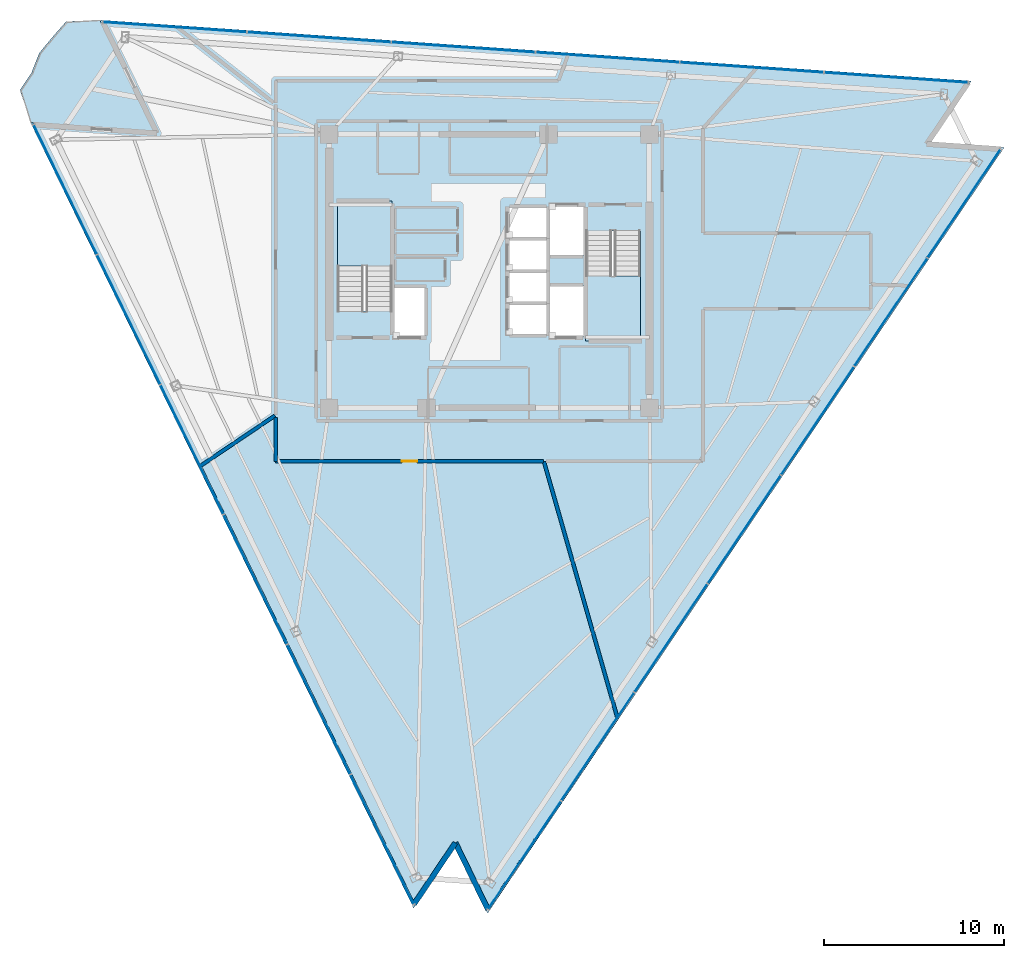
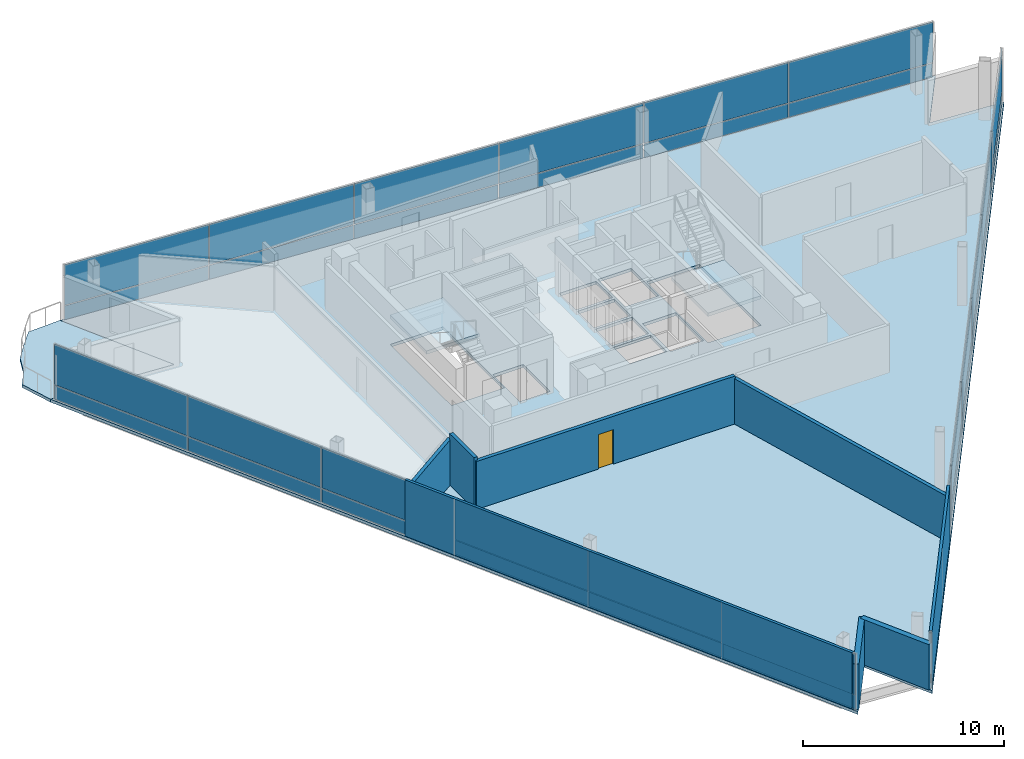
# One storey, part 8 of 14: 38 plates, 8 walls, 4 slabs, 1 door, 1 opening, 5 elements without a shape of their own.
"""IFC4 building model written with IfcOpenShell, lengths in metres."""

import ifcopenshell
import ifcopenshell.guid

model = None  # the IFC model being written
_history = None  # IfcOwnerHistory: only IFC2X3 demands one
_inside = {}  # id of a spatial element -> (the spatial element, [elements in it])
_under = {}  # id of a project, library or spatial element -> (it, [spatial elements below it])
_declared = {}  # id of a project -> (the project, [libraries it declares])
_typed = {}  # id of a type object -> (the type object, [elements of that type])
_made_of = {}  # id of a material, layer set ... -> (it, [elements and type objects made of it])


def new_model(schema):
    """Start an empty IFC model of exactly this schema.

    Asked for "IFC4X3", IfcOpenShell would pick the latest addendum, in which some entities
    have other attributes; the version numbers below select the first issue.
    IFC2X3 requires an IfcOwnerHistory on every rooted entity: one is made here for all.
    """
    global model, _history
    if schema == "IFC4X3":
        model = ifcopenshell.file(schema_version=(4, 3, 0, 0))
    else:
        model = ifcopenshell.file(schema=schema)
    _inside.clear()
    _under.clear()
    _declared.clear()
    _typed.clear()
    _made_of.clear()
    _history = None
    if model.schema == "IFC2X3":
        org = make("IfcOrganization", Name="unknown")
        user = make(
            "IfcPersonAndOrganization",
            ThePerson=make("IfcPerson", FamilyName="unknown"),
            TheOrganization=org,
        )
        app = make(
            "IfcApplication",
            ApplicationDeveloper=org,
            Version="unknown",
            ApplicationFullName="unknown",
            ApplicationIdentifier="unknown",
        )
        _history = make(
            "IfcOwnerHistory",
            OwningUser=user,
            OwningApplication=app,
            ChangeAction="ADDED",
            CreationDate=0,
        )
    return model


def make(cls, **values):
    """One entity of the class cls with the attributes given. An attribute that is None is left unset."""
    return model.create_entity(
        cls, **{name: value for name, value in values.items() if value is not None}
    )


def rooted(cls, **values):
    """An entity with a GlobalId (a new one), such as an element, a storey or a relation."""
    return make(cls, GlobalId=ifcopenshell.guid.new(), OwnerHistory=_history, **values)


def si_unit(unit_type, name, prefix=None):
    """IfcSIUnit, for example si_unit("LENGTHUNIT", "METRE", prefix="MILLI")."""
    return make("IfcSIUnit", UnitType=unit_type, Prefix=prefix, Name=name)


def assignment(units):
    """IfcUnitAssignment: the units of a project."""
    return None if units is None else make("IfcUnitAssignment", Units=units)


def point(xyz):
    """IfcCartesianPoint."""
    return None if xyz is None else make("IfcCartesianPoint", Coordinates=xyz)


def direction(xyz):
    """IfcDirection."""
    return None if xyz is None else make("IfcDirection", DirectionRatios=xyz)


def frame(location, z_axis=None, x_axis=None):
    """IfcAxis2Placement3D, a coordinate frame: its origin and axes. An axis left out is left unset."""
    return make(
        "IfcAxis2Placement3D",
        Location=point(location),
        Axis=direction(z_axis),
        RefDirection=direction(x_axis),
    )


def frame_2d(location, x_axis=None):
    """IfcAxis2Placement2D, a coordinate frame in the plane: its origin and x axis."""
    return make(
        "IfcAxis2Placement2D", Location=point(location), RefDirection=direction(x_axis)
    )


def origin():
    """The frame at (0, 0, 0) with its axes left unset."""
    return frame((0.0, 0.0, 0.0))


def origin_2d():
    """The frame at (0, 0) in the plane with its x axis left unset."""
    return frame_2d((0.0, 0.0))


def place(relative_to, where):
    """IfcLocalPlacement: puts the frame where relative to a parent placement (None: the world)."""
    return make(
        "IfcLocalPlacement", PlacementRelTo=relative_to, RelativePlacement=where
    )


def context(
    kind, dimensions, precision=None, world=None, true_north=None, identifier=None
):
    """IfcGeometricRepresentationContext, for example the 3D "Model" context."""
    return make(
        "IfcGeometricRepresentationContext",
        ContextIdentifier=identifier,
        ContextType=kind,
        CoordinateSpaceDimension=dimensions,
        Precision=precision,
        WorldCoordinateSystem=world,
        TrueNorth=true_north,
    )


def subcontext(parent, identifier, kind, view, scale=None):
    """IfcGeometricRepresentationSubContext, for example "Body" below "Model"."""
    return make(
        "IfcGeometricRepresentationSubContext",
        ContextIdentifier=identifier,
        ContextType=kind,
        ParentContext=parent,
        TargetScale=scale,
        TargetView=view,
    )


def project(units=None, contexts=None):
    """IfcProject with its units and contexts."""
    return rooted(
        "IfcProject",
        Name="project",
        RepresentationContexts=contexts,
        UnitsInContext=assignment(units),
    )


def spatial(cls, under=None, at=None, **own):
    """A site, building, storey or space (cls), placed at a placement, below another one or the project."""
    s = rooted(cls, ObjectPlacement=at, **own)
    if under is not None:
        _under.setdefault(under.id(), (under, []))[1].append(s)
    return s


def polyline(points):
    """IfcPolyline through the points."""
    return make("IfcPolyline", Points=[point(p) for p in points])


def profile(cls, at=None, kind="AREA", **sizes):
    """A parametric profile (cls). Its sizes go by their IFC names, for example OverallWidth=200.0."""
    return make(cls, ProfileType=kind, Position=at, **sizes)


def rectangle(**sizes):
    """IfcRectangleProfileDef."""
    return profile("IfcRectangleProfileDef", **sizes)


def outline(outer, holes=None, kind="AREA"):
    """IfcArbitraryClosedProfileDef: a profile drawn as a closed curve; with holes, ...WithVoids."""
    if holes is None:
        return make("IfcArbitraryClosedProfileDef", ProfileType=kind, OuterCurve=outer)
    return make(
        "IfcArbitraryProfileDefWithVoids",
        ProfileType=kind,
        OuterCurve=outer,
        InnerCurves=holes,
    )


def extrude(swept, where, along, depth):
    """IfcExtrudedAreaSolid: the profile swept, set in the frame where, extruded along a direction by depth."""
    return make(
        "IfcExtrudedAreaSolid",
        SweptArea=swept,
        Position=where,
        ExtrudedDirection=direction(along),
        Depth=depth,
    )


def shape(context_of_items, identifier, shape_type, items):
    """IfcShapeRepresentation: the items that make up one representation, for example the "Body"."""
    return make(
        "IfcShapeRepresentation",
        ContextOfItems=context_of_items,
        RepresentationIdentifier=identifier,
        RepresentationType=shape_type,
        Items=items,
    )


def material(Name=None, Category=None):
    """IfcMaterial."""
    return make("IfcMaterial", Name=Name, Category=Category)


def layer(
    of_material, thickness, ventilated=None, Name=None, Category=None, Priority=None
):
    """IfcMaterialLayer: one layer of a wall or slab, of a material (None: an air gap)."""
    return make(
        "IfcMaterialLayer",
        Material=of_material,
        LayerThickness=thickness,
        IsVentilated=ventilated,
        Name=Name,
        Category=Category,
        Priority=Priority,
    )


def layer_set(layers, Name=None):
    """IfcMaterialLayerSet."""
    return make("IfcMaterialLayerSet", MaterialLayers=layers, LayerSetName=Name)


def made_of(thing, what):
    """Note that an element or type object is made of a material, layer set ...; save() writes the relation."""
    if what is not None:
        _made_of.setdefault(what.id(), (what, []))[1].append(thing)
    return thing


def type_object(cls, material=None, **own):
    """A type object (cls), such as IfcWallType, which elements share."""
    return made_of(rooted(cls, **own), material)


def element(
    cls,
    number,
    at=None,
    inside=None,
    cuts=None,
    type_object=None,
    material=None,
    context=None,
    identifier="Body",
    shape_type=None,
    held_by="IfcProductDefinitionShape",
    body=None,
    shapes=None,
    **own,
):
    """One element of the class cls, such as IfcWall. Its Tag is "e" and its number.

    at: its placement. inside: the storey or other place that contains it. cuts: it is an
    opening in that element (IfcRelVoidsElement). A single representation is given by context,
    identifier, shape_type and body (its items); several are given by shapes. held_by: the class
    of the entity that holds the representations. save() writes the other relations.
    """
    e = rooted(cls, Tag="e%d" % number, ObjectPlacement=at, **own)
    if body is not None:
        shapes = [shape(context, identifier, shape_type, body)]
    if shapes is not None:
        e.Representation = make(held_by, Representations=shapes)
    if inside is not None:
        _inside.setdefault(inside.id(), (inside, []))[1].append(e)
    if cuts is not None:
        rooted(
            "IfcRelVoidsElement", RelatingBuildingElement=cuts, RelatedOpeningElement=e
        )
    if type_object is not None:
        _typed.setdefault(type_object.id(), (type_object, []))[1].append(e)
    return made_of(e, material)


def fill(opening, filler):
    """IfcRelFillsElement: the door or window that sits in an opening."""
    return rooted(
        "IfcRelFillsElement",
        RelatingOpeningElement=opening,
        RelatedBuildingElement=filler,
    )


def aggregate(whole, parts):
    """IfcRelAggregates: a whole, such as a stair, and the parts it consists of."""
    return rooted("IfcRelAggregates", RelatingObject=whole, RelatedObjects=parts)


def save(model, path):
    """Write the relations noted so far, then the file.

    IfcRelAggregates (storeys below a building ...), IfcRelContainedInSpatialStructure (elements
    in a storey), IfcRelDefinesByType, IfcRelAssociatesMaterial and IfcRelDeclares: one each for
    every whole, place, type object, material and project.
    """
    for whole, parts in _under.values():
        aggregate(whole, parts)
    for where, things in _inside.values():
        rooted(
            "IfcRelContainedInSpatialStructure",
            RelatedElements=things,
            RelatingStructure=where,
        )
    for kind, things in _typed.values():
        rooted("IfcRelDefinesByType", RelatedObjects=things, RelatingType=kind)
    for what, things in _made_of.values():
        rooted("IfcRelAssociatesMaterial", RelatedObjects=things, RelatingMaterial=what)
    for by, libraries in _declared.values():
        rooted("IfcRelDeclares", RelatingContext=by, RelatedDefinitions=libraries)
    model.write(path)


model = new_model("IFC4")

# Units and contexts
model_context = context("Model", 3, precision=1e-05, world=origin(), true_north=direction((0.0, 1.0)))
body_context = subcontext(model_context, "Body", "Model", "MODEL_VIEW")
ifc_project = project(units=[si_unit("LENGTHUNIT", "METRE"), si_unit("AREAUNIT", "SQUARE_METRE"), si_unit("VOLUMEUNIT", "CUBIC_METRE"), si_unit("PLANEANGLEUNIT", "RADIAN"), si_unit("MASSUNIT", "GRAM", prefix="KILO")], contexts=[model_context])

# Site, building, storey
site_placement = place(None, origin())
site = spatial("IfcSite", under=ifc_project, at=site_placement, CompositionType="ELEMENT")
building_placement = place(site_placement, origin())
building = spatial("IfcBuilding", under=site, at=building_placement, Name="Tharavind Bronze Gate", CompositionType="ELEMENT")
storey_placement = place(building_placement, frame((0.0, 0.0, 230.64990234375)))
storey = spatial("IfcBuildingStorey", under=building, at=storey_placement, Name="L59", CompositionType="ELEMENT", Elevation=230.64990234375)

# Curtain wall, plates
ifc_material_1 = material(Name="Anodised Bronze Aluminium", Category="aluminium")
ifc_layer_1 = layer(ifc_material_1, 0.219970703125)
ifc_layer_set_1 = layer_set([ifc_layer_1], Name="Anodised Bronze Aluminium")
curtain_wall_type = type_object("IfcCurtainWallType", Name="UNITISED CURTAIN WALL UPPER OFFICE", PredefinedType="USERDEFINED", material=ifc_layer_set_1)
curtain_wall_1_placement = place(storey_placement, origin())
curtain_wall_1 = element("IfcCurtainWall", 1, at=curtain_wall_1_placement, inside=storey, type_object=curtain_wall_type, Name="L59 unitised curtain wall upper office CW-L59-S1", ObjectType="UNITISED CURTAIN WALL", PredefinedType="USERDEFINED")
ifc_material_2 = material(Name="Patinated Bronze Alloy Sheet", Category="bronze")
ifc_layer_2 = layer(ifc_material_2, 0.01611328125)
ifc_layer_set_2 = layer_set([ifc_layer_2], Name="Patinated Bronze Alloy Sheet")
plate_type_1 = type_object("IfcPlateType", Name="BRONZE SPANDREL CLADDING PANEL 16", PredefinedType="CURTAIN_PANEL", material=ifc_layer_set_2)
plate_1_placement = place(storey_placement, frame((-23.5751953125, 4.5283203125, 0.02685546875), z_axis=(0.0, 0.0, 1.0), x_axis=(0.438371146789, -0.898794046299, 0.0)))
plate_1 = element("IfcPlate", 2, at=plate_1_placement, type_object=plate_type_1, Name="CW-L59-S1 bronze spandrel panel 1", PredefinedType="CURTAIN_PANEL", context=body_context, shape_type="SweptSolid", body=[
    extrude(rectangle(XDim=7.985107421875, YDim=0.01611328125, at=origin_2d()), origin(), (0.0, 0.0, 1.0), 0.846923828125),
])
plate_2_placement = place(storey_placement, frame((-20.051513671875, -2.696044921875, 0.02685546875), z_axis=(0.0, 0.0, 1.0), x_axis=(0.438371146789, -0.898794046299, 0.0)))
plate_2 = element("IfcPlate", 3, at=plate_2_placement, type_object=plate_type_1, Name="CW-L59-S1 bronze spandrel panel 2", PredefinedType="CURTAIN_PANEL", context=body_context, shape_type="SweptSolid", body=[
    extrude(rectangle(XDim=7.985107421875, YDim=0.01611328125, at=origin_2d()), origin(), (0.0, 0.0, 1.0), 0.846923828125),
])
plate_3_placement = place(storey_placement, frame((-16.528076171875, -9.920654296875, 0.02685546875), z_axis=(0.0, 0.0, 1.0), x_axis=(0.438371146789, -0.898794046299, 0.0)))
plate_3 = element("IfcPlate", 4, at=plate_3_placement, type_object=plate_type_1, Name="CW-L59-S1 bronze spandrel panel 3", PredefinedType="CURTAIN_PANEL", context=body_context, shape_type="SweptSolid", body=[
    extrude(rectangle(XDim=7.985107421875, YDim=0.01611328125, at=origin_2d()), origin(), (0.0, 0.0, 1.0), 0.846923828125),
])
plate_4_placement = place(storey_placement, frame((-13.00439453125, -17.145263671875, 0.02685546875), z_axis=(0.0, 0.0, 1.0), x_axis=(0.438371146789, -0.898794046299, 0.0)))
plate_4 = element("IfcPlate", 5, at=plate_4_placement, type_object=plate_type_1, Name="CW-L59-S1 bronze spandrel panel 4", PredefinedType="CURTAIN_PANEL", context=body_context, shape_type="SweptSolid", body=[
    extrude(rectangle(XDim=7.985107421875, YDim=0.01611328125, at=origin_2d()), origin(), (0.0, 0.0, 1.0), 0.846923828125),
])
plate_5_placement = place(storey_placement, frame((-9.480712890625, -24.36962890625, 0.02685546875), z_axis=(0.0, 0.0, 1.0), x_axis=(0.438371146789, -0.898794046299, 0.0)))
plate_5 = element("IfcPlate", 6, at=plate_5_placement, type_object=plate_type_1, Name="CW-L59-S1 bronze spandrel panel 5", PredefinedType="CURTAIN_PANEL", context=body_context, shape_type="SweptSolid", body=[
    extrude(rectangle(XDim=7.985107421875, YDim=0.01611328125, at=origin_2d()), origin(), (0.0, 0.0, 1.0), 0.846923828125),
])
plate_6_placement = place(storey_placement, frame((-5.95703125, -31.59423828125, 0.02685546875), z_axis=(0.0, 0.0, 1.0), x_axis=(0.438371146789, -0.898794046299, 0.0)))
plate_6 = element("IfcPlate", 7, at=plate_6_placement, type_object=plate_type_1, Name="CW-L59-S1 bronze spandrel panel 6", PredefinedType="CURTAIN_PANEL", context=body_context, shape_type="SweptSolid", body=[
    extrude(rectangle(XDim=7.985107421875, YDim=0.01611328125, at=origin_2d()), origin(), (0.0, 0.0, 1.0), 0.846923828125),
])

curtain_wall_2_placement = place(storey_placement, origin())
curtain_wall_2 = element("IfcCurtainWall", 8, at=curtain_wall_2_placement, inside=storey, type_object=curtain_wall_type, Name="L59 unitised curtain wall upper office CW-L59-S2", ObjectType="UNITISED CURTAIN WALL", PredefinedType="USERDEFINED")
plate_7_placement = place(storey_placement, frame((1.958984375, -32.4755859375, 0.02685546875), z_axis=(0.0, 0.0, 1.0), x_axis=(0.559192903471, 0.829037572555, 0.0)))
plate_7 = element("IfcPlate", 9, at=plate_7_placement, type_object=plate_type_1, Name="CW-L59-S2 bronze spandrel panel 1", PredefinedType="CURTAIN_PANEL", context=body_context, shape_type="SweptSolid", body=[
    extrude(rectangle(XDim=7.22998046875, YDim=0.01611328125, at=origin_2d()), origin(), (0.0, 0.0, 1.0), 0.846923828125),
])
plate_8_placement = place(storey_placement, frame((6.031494140625, -26.437744140625, 0.02685546875), z_axis=(0.0, 0.0, 1.0), x_axis=(0.559192903471, 0.829037572555, 0.0)))
plate_8 = element("IfcPlate", 10, at=plate_8_placement, type_object=plate_type_1, Name="CW-L59-S2 bronze spandrel panel 2", PredefinedType="CURTAIN_PANEL", context=body_context, shape_type="SweptSolid", body=[
    extrude(rectangle(XDim=7.22998046875, YDim=0.01611328125, at=origin_2d()), origin(), (0.0, 0.0, 1.0), 0.846923828125),
])
plate_9_placement = place(storey_placement, frame((10.10400390625, -20.39990234375, 0.02685546875), z_axis=(0.0, 0.0, 1.0), x_axis=(0.559192903471, 0.829037572555, 0.0)))
plate_9 = element("IfcPlate", 11, at=plate_9_placement, type_object=plate_type_1, Name="CW-L59-S2 bronze spandrel panel 3", PredefinedType="CURTAIN_PANEL", context=body_context, shape_type="SweptSolid", body=[
    extrude(rectangle(XDim=7.22998046875, YDim=0.01611328125, at=origin_2d()), origin(), (0.0, 0.0, 1.0), 0.846923828125),
])
plate_10_placement = place(storey_placement, frame((14.176513671875, -14.3623046875, 0.02685546875), z_axis=(0.0, 0.0, 1.0), x_axis=(0.559192903471, 0.829037572555, 0.0)))
plate_10 = element("IfcPlate", 12, at=plate_10_placement, type_object=plate_type_1, Name="CW-L59-S2 bronze spandrel panel 4", PredefinedType="CURTAIN_PANEL", context=body_context, shape_type="SweptSolid", body=[
    extrude(rectangle(XDim=7.22998046875, YDim=0.01611328125, at=origin_2d()), origin(), (0.0, 0.0, 1.0), 0.846923828125),
])
plate_11_placement = place(storey_placement, frame((18.2490234375, -8.324462890625, 0.02685546875), z_axis=(0.0, 0.0, 1.0), x_axis=(0.559192903471, 0.829037572555, 0.0)))
plate_11 = element("IfcPlate", 13, at=plate_11_placement, type_object=plate_type_1, Name="CW-L59-S2 bronze spandrel panel 5", PredefinedType="CURTAIN_PANEL", context=body_context, shape_type="SweptSolid", body=[
    extrude(rectangle(XDim=7.22998046875, YDim=0.01611328125, at=origin_2d()), origin(), (0.0, 0.0, 1.0), 0.846923828125),
])
plate_12_placement = place(storey_placement, frame((22.321533203125, -2.28662109375, 0.02685546875), z_axis=(0.0, 0.0, 1.0), x_axis=(0.559192903471, 0.829037572555, 0.0)))
plate_12 = element("IfcPlate", 14, at=plate_12_placement, type_object=plate_type_1, Name="CW-L59-S2 bronze spandrel panel 6", PredefinedType="CURTAIN_PANEL", context=body_context, shape_type="SweptSolid", body=[
    extrude(rectangle(XDim=7.22998046875, YDim=0.01611328125, at=origin_2d()), origin(), (0.0, 0.0, 1.0), 0.846923828125),
])
plate_13_placement = place(storey_placement, frame((26.39404296875, 3.751220703125, 0.02685546875), z_axis=(0.0, 0.0, 1.0), x_axis=(0.559192903471, 0.829037572555, 0.0)))
plate_13 = element("IfcPlate", 15, at=plate_13_placement, type_object=plate_type_1, Name="CW-L59-S2 bronze spandrel panel 7", PredefinedType="CURTAIN_PANEL", context=body_context, shape_type="SweptSolid", body=[
    extrude(rectangle(XDim=7.22998046875, YDim=0.01611328125, at=origin_2d()), origin(), (0.0, 0.0, 1.0), 0.846923828125),
])

curtain_wall_3_placement = place(storey_placement, origin())
curtain_wall_3 = element("IfcCurtainWall", 16, at=curtain_wall_3_placement, inside=storey, type_object=curtain_wall_type, Name="L59 unitised curtain wall upper office CW-L59-S3", ObjectType="UNITISED CURTAIN WALL", PredefinedType="USERDEFINED")
plate_14_placement = place(storey_placement, frame((22.611572265625, 10.760498046875, 0.02685546875), z_axis=(0.0, 0.0, 1.0), x_axis=(-0.99756392851, 0.069758214822, 0.0)))
plate_14 = element("IfcPlate", 17, at=plate_14_placement, type_object=plate_type_1, Name="CW-L59-S3 bronze spandrel panel 1", PredefinedType="CURTAIN_PANEL", context=body_context, shape_type="SweptSolid", body=[
    extrude(rectangle(XDim=7.985107421875, YDim=0.01611328125, at=origin_2d()), origin(), (0.0, 0.0, 1.0), 0.846923828125),
])
plate_15_placement = place(storey_placement, frame((14.593017578125, 11.3212890625, 0.02685546875), z_axis=(0.0, 0.0, 1.0), x_axis=(-0.99756392851, 0.069758214822, 0.0)))
plate_15 = element("IfcPlate", 18, at=plate_15_placement, type_object=plate_type_1, Name="CW-L59-S3 bronze spandrel panel 2", PredefinedType="CURTAIN_PANEL", context=body_context, shape_type="SweptSolid", body=[
    extrude(rectangle(XDim=7.985107421875, YDim=0.01611328125, at=origin_2d()), origin(), (0.0, 0.0, 1.0), 0.846923828125),
])
plate_16_placement = place(storey_placement, frame((6.57470703125, 11.882080078125, 0.02685546875), z_axis=(0.0, 0.0, 1.0), x_axis=(-0.99756392851, 0.069758214822, 0.0)))
plate_16 = element("IfcPlate", 19, at=plate_16_placement, type_object=plate_type_1, Name="CW-L59-S3 bronze spandrel panel 3", PredefinedType="CURTAIN_PANEL", context=body_context, shape_type="SweptSolid", body=[
    extrude(rectangle(XDim=7.985107421875, YDim=0.01611328125, at=origin_2d()), origin(), (0.0, 0.0, 1.0), 0.846923828125),
])
plate_17_placement = place(storey_placement, frame((-1.44384765625, 12.442626953125, 0.02685546875), z_axis=(0.0, 0.0, 1.0), x_axis=(-0.99756392851, 0.069758214822, 0.0)))
plate_17 = element("IfcPlate", 20, at=plate_17_placement, type_object=plate_type_1, Name="CW-L59-S3 bronze spandrel panel 4", PredefinedType="CURTAIN_PANEL", context=body_context, shape_type="SweptSolid", body=[
    extrude(rectangle(XDim=7.985107421875, YDim=0.01611328125, at=origin_2d()), origin(), (0.0, 0.0, 1.0), 0.846923828125),
])
plate_18_placement = place(storey_placement, frame((-9.462158203125, 13.00341796875, 0.02685546875), z_axis=(0.0, 0.0, 1.0), x_axis=(-0.99756392851, 0.069758214822, 0.0)))
plate_18 = element("IfcPlate", 21, at=plate_18_placement, type_object=plate_type_1, Name="CW-L59-S3 bronze spandrel panel 5", PredefinedType="CURTAIN_PANEL", context=body_context, shape_type="SweptSolid", body=[
    extrude(rectangle(XDim=7.985107421875, YDim=0.01611328125, at=origin_2d()), origin(), (0.0, 0.0, 1.0), 0.846923828125),
])
plate_19_placement = place(storey_placement, frame((-17.480712890625, 13.564208984375, 0.02685546875), z_axis=(0.0, 0.0, 1.0), x_axis=(-0.99756392851, 0.069758214822, 0.0)))
plate_19 = element("IfcPlate", 22, at=plate_19_placement, type_object=plate_type_1, Name="CW-L59-S3 bronze spandrel panel 6", PredefinedType="CURTAIN_PANEL", context=body_context, shape_type="SweptSolid", body=[
    extrude(rectangle(XDim=7.985107421875, YDim=0.01611328125, at=origin_2d()), origin(), (0.0, 0.0, 1.0), 0.846923828125),
])

# Slab
ifc_material_3 = material(Name="Concrete C40/50", Category="concrete")
ifc_layer_3 = layer(ifc_material_3, 0.179931640625)
ifc_layer_set_3 = layer_set([ifc_layer_3], Name="Concrete C40/50")
slab_type_1 = type_object("IfcSlabType", Name="EXTERIOR BALCONY SLAB 180", PredefinedType="FLOOR", material=ifc_layer_set_3)
slab_1_placement = place(storey_placement, frame((0.0, 0.0, -0.179931640625)))
element("IfcSlab", 23, at=slab_1_placement, inside=storey, type_object=slab_type_1, Name="L59 northeast tree balcony slab", PredefinedType="FLOOR", context=body_context, shape_type="SweptSolid", body=[
    extrude(outline(polyline([(-23.523193359375, 13.869873046875), (-24.287109375, 13.001953125), (-25.021484375, 12.114013671875), (-25.447021484375, 11.01806640625), (-26.088134765625, 10.0673828125), (-25.5029296875, 8.25244140625), (-18.6396484375, 7.772705078125), (-21.65576171875, 13.956298828125), (-23.523193359375, 13.869873046875)])), origin(), (0.0, 0.0, 1.0), 0.179931640625),
])

# Stair, slab
stair_type = type_object("IfcStairType", Name="CORE HALF TURN STAIR 1450", PredefinedType="HALF_TURN_STAIR", material=ifc_material_3)
stair_1_placement = place(storey_placement, origin())
stair_1 = element("IfcStair", 24, at=stair_1_placement, inside=storey, type_object=stair_type, Name="L59 Protected Exit Stair ST1", PredefinedType="HALF_TURN_STAIR")
ifc_layer_4 = layer(ifc_material_3, 0.199951171875)
ifc_layer_set_4 = layer_set([ifc_layer_4], Name="Concrete C40/50")
slab_type_2 = type_object("IfcSlabType", Name="STAIR LANDING SLAB 200", PredefinedType="LANDING", material=ifc_layer_set_4)
slab_2_placement = place(storey_placement, frame((0.0, 0.0, 1.60009765625)))
slab_2 = element("IfcSlab", 25, at=slab_2_placement, type_object=slab_type_2, Name="ST1 landing 1", PredefinedType="LANDING", context=body_context, shape_type="SweptSolid", body=[
    extrude(outline(polyline([(-5.39990234375, 0.27001953125), (-5.39990234375, 3.89990234375), (-8.449951171875, 3.89990234375), (-8.449951171875, 0.27001953125), (-5.39990234375, 0.27001953125)])), origin(), (0.0, 0.0, 1.0), 0.199951171875),
])
aggregate(stair_1, [slab_2])

stair_2_placement = place(storey_placement, origin())
stair_2 = element("IfcStair", 26, at=stair_2_placement, inside=storey, type_object=stair_type, Name="L59 Protected Exit Stair ST2", PredefinedType="HALF_TURN_STAIR")
slab_3_placement = place(storey_placement, frame((0.0, 0.0, 1.60009765625)))
slab_3 = element("IfcSlab", 27, at=slab_3_placement, type_object=slab_type_2, Name="ST2 landing 1", PredefinedType="LANDING", context=body_context, shape_type="SweptSolid", body=[
    extrude(outline(polyline([(5.35009765625, -0.27001953125), (5.35009765625, -3.89990234375), (8.39990234375, -3.89990234375), (8.39990234375, -0.27001953125), (5.35009765625, -0.27001953125)])), origin(), (0.0, 0.0, 1.0), 0.199951171875),
])
aggregate(stair_2, [slab_3])

# Slab
ifc_layer_5 = layer(ifc_material_3, 0.179931640625)
ifc_layer_set_5 = layer_set([ifc_layer_5], Name="Concrete C40/50")
slab_type_3 = type_object("IfcSlabType", Name="STRUCTURAL FLOOR SLAB 180", PredefinedType="FLOOR", material=ifc_layer_set_5)
slab_4_placement = place(storey_placement, frame((0.0, 0.0, -0.179931640625)))
element("IfcSlab", 28, at=slab_4_placement, inside=storey, type_object=slab_type_3, Name="L59 main structural floor slab", PredefinedType="FLOOR", context=body_context, shape_type="SweptSolid", body=[
    extrude(outline(polyline([(-21.65576171875, 13.956298828125), (-18.6396484375, 7.772705078125), (-25.5029296875, 8.25244140625), (-4.209228515625, -35.406005859375), (-1.90087890625, -31.983642578125), (-0.09130859375, -35.69384765625), (28.610107421875, 6.857666015625), (24.4921875, 7.145751953125), (26.800537109375, 10.56787109375), (-21.65576171875, 13.956298828125)]), holes=[polyline([(-5.39990234375, -2.215087890625), (-5.39990234375, 3.89990234375), (-8.449951171875, 3.89990234375), (-8.449951171875, -2.215087890625), (-5.39990234375, -2.215087890625)]), polyline([(5.35009765625, 2.215087890625), (5.35009765625, -3.89990234375), (8.39990234375, -3.89990234375), (8.39990234375, 2.215087890625), (5.35009765625, 2.215087890625)]), polyline([(1.080078125, -3.52001953125), (3.199951171875, -3.52001953125), (3.199951171875, -1.8798828125), (1.080078125, -1.8798828125), (1.080078125, -3.52001953125)]), polyline([(1.080078125, -1.719970703125), (3.199951171875, -1.719970703125), (3.199951171875, -0.080078125), (1.080078125, -0.080078125), (1.080078125, -1.719970703125)]), polyline([(1.080078125, 0.080078125), (3.199951171875, 0.080078125), (3.199951171875, 1.719970703125), (1.080078125, 1.719970703125), (1.080078125, 0.080078125)]), polyline([(1.080078125, 1.8798828125), (3.199951171875, 1.8798828125), (3.199951171875, 3.52001953125), (1.080078125, 3.52001953125), (1.080078125, 1.8798828125)]), polyline([(-5.320068359375, -3.6201171875), (-3.580078125, -3.6201171875), (-3.580078125, -0.929931640625), (-5.320068359375, -0.929931640625), (-5.320068359375, -3.6201171875)]), polyline([(3.360107421875, 0.8798828125), (5.27001953125, 0.8798828125), (5.27001953125, 3.6201171875), (3.360107421875, 3.6201171875), (3.360107421875, 0.8798828125)]), polyline([(3.360107421875, -3.6201171875), (5.27001953125, -3.6201171875), (5.27001953125, -0.830078125), (3.360107421875, -0.830078125), (3.360107421875, -3.6201171875)])]), origin(), (0.0, 0.0, 1.0), 0.179931640625),
])

# Plate
ifc_material_4 = material(Name="Triple Solar Control Glazing", Category="glass")
ifc_layer_6 = layer(ifc_material_4, 0.0439453125)
ifc_layer_set_6 = layer_set([ifc_layer_6], Name="Triple Solar Control Glazing")
plate_type_2 = type_object("IfcPlateType", Name="TRIPLE GLAZED FACADE PANEL 44", PredefinedType="CURTAIN_PANEL", material=ifc_layer_set_6)
plate_20_placement = place(storey_placement, frame((-23.5751953125, 4.5283203125, 0.9267578125), z_axis=(0.0, 0.0, 1.0), x_axis=(0.438371146789, -0.898794046299, 0.0)))
plate_20 = element("IfcPlate", 29, at=plate_20_placement, type_object=plate_type_2, Name="CW-L59-S1 vision glazing panel 1", PredefinedType="CURTAIN_PANEL", context=body_context, shape_type="SweptSolid", body=[
    extrude(rectangle(XDim=7.985107421875, YDim=0.0439453125, at=origin_2d()), origin(), (0.0, 0.0, 1.0), 2.467041015625),
])

plate_21_placement = place(storey_placement, frame((-20.051513671875, -2.696044921875, 0.9267578125), z_axis=(0.0, 0.0, 1.0), x_axis=(0.438371146789, -0.898794046299, 0.0)))
plate_21 = element("IfcPlate", 30, at=plate_21_placement, type_object=plate_type_2, Name="CW-L59-S1 vision glazing panel 2", PredefinedType="CURTAIN_PANEL", context=body_context, shape_type="SweptSolid", body=[
    extrude(rectangle(XDim=7.985107421875, YDim=0.0439453125, at=origin_2d()), origin(), (0.0, 0.0, 1.0), 2.467041015625),
])

plate_22_placement = place(storey_placement, frame((-16.528076171875, -9.920654296875, 0.9267578125), z_axis=(0.0, 0.0, 1.0), x_axis=(0.438371146789, -0.898794046299, 0.0)))
plate_22 = element("IfcPlate", 31, at=plate_22_placement, type_object=plate_type_2, Name="CW-L59-S1 vision glazing panel 3", PredefinedType="CURTAIN_PANEL", context=body_context, shape_type="SweptSolid", body=[
    extrude(rectangle(XDim=7.985107421875, YDim=0.0439453125, at=origin_2d()), origin(), (0.0, 0.0, 1.0), 2.467041015625),
])

plate_23_placement = place(storey_placement, frame((-13.00439453125, -17.145263671875, 0.9267578125), z_axis=(0.0, 0.0, 1.0), x_axis=(0.438371146789, -0.898794046299, 0.0)))
plate_23 = element("IfcPlate", 32, at=plate_23_placement, type_object=plate_type_2, Name="CW-L59-S1 vision glazing panel 4", PredefinedType="CURTAIN_PANEL", context=body_context, shape_type="SweptSolid", body=[
    extrude(rectangle(XDim=7.985107421875, YDim=0.0439453125, at=origin_2d()), origin(), (0.0, 0.0, 1.0), 2.467041015625),
])

plate_24_placement = place(storey_placement, frame((-9.480712890625, -24.36962890625, 0.9267578125), z_axis=(0.0, 0.0, 1.0), x_axis=(0.438371146789, -0.898794046299, 0.0)))
plate_24 = element("IfcPlate", 33, at=plate_24_placement, type_object=plate_type_2, Name="CW-L59-S1 vision glazing panel 5", PredefinedType="CURTAIN_PANEL", context=body_context, shape_type="SweptSolid", body=[
    extrude(rectangle(XDim=7.985107421875, YDim=0.0439453125, at=origin_2d()), origin(), (0.0, 0.0, 1.0), 2.467041015625),
])

plate_25_placement = place(storey_placement, frame((-5.95703125, -31.59423828125, 0.9267578125), z_axis=(0.0, 0.0, 1.0), x_axis=(0.438371146789, -0.898794046299, 0.0)))
plate_25 = element("IfcPlate", 34, at=plate_25_placement, type_object=plate_type_2, Name="CW-L59-S1 vision glazing panel 6", PredefinedType="CURTAIN_PANEL", context=body_context, shape_type="SweptSolid", body=[
    extrude(rectangle(XDim=7.985107421875, YDim=0.0439453125, at=origin_2d()), origin(), (0.0, 0.0, 1.0), 2.467041015625),
])

aggregate(curtain_wall_1, [plate_1, plate_20, plate_2, plate_21, plate_3, plate_22, plate_4, plate_23, plate_5, plate_24, plate_6, plate_25])

plate_26_placement = place(storey_placement, frame((1.958984375, -32.4755859375, 0.9267578125), z_axis=(0.0, 0.0, 1.0), x_axis=(0.559192903471, 0.829037572555, 0.0)))
plate_26 = element("IfcPlate", 35, at=plate_26_placement, type_object=plate_type_2, Name="CW-L59-S2 vision glazing panel 1", PredefinedType="CURTAIN_PANEL", context=body_context, shape_type="SweptSolid", body=[
    extrude(rectangle(XDim=7.22998046875, YDim=0.0439453125, at=origin_2d()), origin(), (0.0, 0.0, 1.0), 2.467041015625),
])

plate_27_placement = place(storey_placement, frame((6.031494140625, -26.437744140625, 0.9267578125), z_axis=(0.0, 0.0, 1.0), x_axis=(0.559192903471, 0.829037572555, 0.0)))
plate_27 = element("IfcPlate", 36, at=plate_27_placement, type_object=plate_type_2, Name="CW-L59-S2 vision glazing panel 2", PredefinedType="CURTAIN_PANEL", context=body_context, shape_type="SweptSolid", body=[
    extrude(rectangle(XDim=7.22998046875, YDim=0.0439453125, at=origin_2d()), origin(), (0.0, 0.0, 1.0), 2.467041015625),
])

plate_28_placement = place(storey_placement, frame((10.10400390625, -20.39990234375, 0.9267578125), z_axis=(0.0, 0.0, 1.0), x_axis=(0.559192903471, 0.829037572555, 0.0)))
plate_28 = element("IfcPlate", 37, at=plate_28_placement, type_object=plate_type_2, Name="CW-L59-S2 vision glazing panel 3", PredefinedType="CURTAIN_PANEL", context=body_context, shape_type="SweptSolid", body=[
    extrude(rectangle(XDim=7.22998046875, YDim=0.0439453125, at=origin_2d()), origin(), (0.0, 0.0, 1.0), 2.467041015625),
])

plate_29_placement = place(storey_placement, frame((14.176513671875, -14.3623046875, 0.9267578125), z_axis=(0.0, 0.0, 1.0), x_axis=(0.559192903471, 0.829037572555, 0.0)))
plate_29 = element("IfcPlate", 38, at=plate_29_placement, type_object=plate_type_2, Name="CW-L59-S2 vision glazing panel 4", PredefinedType="CURTAIN_PANEL", context=body_context, shape_type="SweptSolid", body=[
    extrude(rectangle(XDim=7.22998046875, YDim=0.0439453125, at=origin_2d()), origin(), (0.0, 0.0, 1.0), 2.467041015625),
])

plate_30_placement = place(storey_placement, frame((18.2490234375, -8.324462890625, 0.9267578125), z_axis=(0.0, 0.0, 1.0), x_axis=(0.559192903471, 0.829037572555, 0.0)))
plate_30 = element("IfcPlate", 39, at=plate_30_placement, type_object=plate_type_2, Name="CW-L59-S2 vision glazing panel 5", PredefinedType="CURTAIN_PANEL", context=body_context, shape_type="SweptSolid", body=[
    extrude(rectangle(XDim=7.22998046875, YDim=0.0439453125, at=origin_2d()), origin(), (0.0, 0.0, 1.0), 2.467041015625),
])

plate_31_placement = place(storey_placement, frame((22.321533203125, -2.28662109375, 0.9267578125), z_axis=(0.0, 0.0, 1.0), x_axis=(0.559192903471, 0.829037572555, 0.0)))
plate_31 = element("IfcPlate", 40, at=plate_31_placement, type_object=plate_type_2, Name="CW-L59-S2 vision glazing panel 6", PredefinedType="CURTAIN_PANEL", context=body_context, shape_type="SweptSolid", body=[
    extrude(rectangle(XDim=7.22998046875, YDim=0.0439453125, at=origin_2d()), origin(), (0.0, 0.0, 1.0), 2.467041015625),
])

plate_32_placement = place(storey_placement, frame((26.39404296875, 3.751220703125, 0.9267578125), z_axis=(0.0, 0.0, 1.0), x_axis=(0.559192903471, 0.829037572555, 0.0)))
plate_32 = element("IfcPlate", 41, at=plate_32_placement, type_object=plate_type_2, Name="CW-L59-S2 vision glazing panel 7", PredefinedType="CURTAIN_PANEL", context=body_context, shape_type="SweptSolid", body=[
    extrude(rectangle(XDim=7.22998046875, YDim=0.0439453125, at=origin_2d()), origin(), (0.0, 0.0, 1.0), 2.467041015625),
])

aggregate(curtain_wall_2, [plate_7, plate_26, plate_8, plate_27, plate_9, plate_28, plate_10, plate_29, plate_11, plate_30, plate_12, plate_31, plate_13, plate_32])

plate_33_placement = place(storey_placement, frame((22.611572265625, 10.760498046875, 0.9267578125), z_axis=(0.0, 0.0, 1.0), x_axis=(-0.99756392851, 0.069758214822, 0.0)))
plate_33 = element("IfcPlate", 42, at=plate_33_placement, type_object=plate_type_2, Name="CW-L59-S3 vision glazing panel 1", PredefinedType="CURTAIN_PANEL", context=body_context, shape_type="SweptSolid", body=[
    extrude(rectangle(XDim=7.985107421875, YDim=0.0439453125, at=origin_2d()), origin(), (0.0, 0.0, 1.0), 2.467041015625),
])

plate_34_placement = place(storey_placement, frame((14.593017578125, 11.3212890625, 0.9267578125), z_axis=(0.0, 0.0, 1.0), x_axis=(-0.99756392851, 0.069758214822, 0.0)))
plate_34 = element("IfcPlate", 43, at=plate_34_placement, type_object=plate_type_2, Name="CW-L59-S3 vision glazing panel 2", PredefinedType="CURTAIN_PANEL", context=body_context, shape_type="SweptSolid", body=[
    extrude(rectangle(XDim=7.985107421875, YDim=0.0439453125, at=origin_2d()), origin(), (0.0, 0.0, 1.0), 2.467041015625),
])

plate_35_placement = place(storey_placement, frame((6.57470703125, 11.882080078125, 0.9267578125), z_axis=(0.0, 0.0, 1.0), x_axis=(-0.99756392851, 0.069758214822, 0.0)))
plate_35 = element("IfcPlate", 44, at=plate_35_placement, type_object=plate_type_2, Name="CW-L59-S3 vision glazing panel 3", PredefinedType="CURTAIN_PANEL", context=body_context, shape_type="SweptSolid", body=[
    extrude(rectangle(XDim=7.985107421875, YDim=0.0439453125, at=origin_2d()), origin(), (0.0, 0.0, 1.0), 2.467041015625),
])

plate_36_placement = place(storey_placement, frame((-1.44384765625, 12.442626953125, 0.9267578125), z_axis=(0.0, 0.0, 1.0), x_axis=(-0.99756392851, 0.069758214822, 0.0)))
plate_36 = element("IfcPlate", 45, at=plate_36_placement, type_object=plate_type_2, Name="CW-L59-S3 vision glazing panel 4", PredefinedType="CURTAIN_PANEL", context=body_context, shape_type="SweptSolid", body=[
    extrude(rectangle(XDim=7.985107421875, YDim=0.0439453125, at=origin_2d()), origin(), (0.0, 0.0, 1.0), 2.467041015625),
])

plate_37_placement = place(storey_placement, frame((-9.462158203125, 13.00341796875, 0.9267578125), z_axis=(0.0, 0.0, 1.0), x_axis=(-0.99756392851, 0.069758214822, 0.0)))
plate_37 = element("IfcPlate", 46, at=plate_37_placement, type_object=plate_type_2, Name="CW-L59-S3 vision glazing panel 5", PredefinedType="CURTAIN_PANEL", context=body_context, shape_type="SweptSolid", body=[
    extrude(rectangle(XDim=7.985107421875, YDim=0.0439453125, at=origin_2d()), origin(), (0.0, 0.0, 1.0), 2.467041015625),
])

plate_38_placement = place(storey_placement, frame((-17.480712890625, 13.564208984375, 0.9267578125), z_axis=(0.0, 0.0, 1.0), x_axis=(-0.99756392851, 0.069758214822, 0.0)))
plate_38 = element("IfcPlate", 47, at=plate_38_placement, type_object=plate_type_2, Name="CW-L59-S3 vision glazing panel 6", PredefinedType="CURTAIN_PANEL", context=body_context, shape_type="SweptSolid", body=[
    extrude(rectangle(XDim=7.985107421875, YDim=0.0439453125, at=origin_2d()), origin(), (0.0, 0.0, 1.0), 2.467041015625),
])

aggregate(curtain_wall_3, [plate_14, plate_33, plate_15, plate_34, plate_16, plate_35, plate_17, plate_36, plate_18, plate_37, plate_19, plate_38])

# Walls
ifc_layer_7 = layer(ifc_material_3, 0.300048828125)
ifc_layer_set_7 = layer_set([ifc_layer_7], Name="Concrete C40/50")
wall_type_1 = type_object("IfcWallType", Name="EXTERIOR SPANDREL WALL 300", PredefinedType="STANDARD", material=ifc_layer_set_7)
wall_1_placement = place(storey_placement, frame((-4.1953125, -35.20654296875, 0.0), z_axis=(0.0, 0.0, 1.0), x_axis=(0.559182319101, 0.829044711704, 0.0)))
element("IfcWall", 48, at=wall_1_placement, inside=storey, type_object=wall_type_1, Name="L59 notch cheek wall 2A", PredefinedType="STANDARD", context=body_context, shape_type="SweptSolid", body=[
    extrude(rectangle(XDim=4.128173828125, YDim=0.300048828125, at=frame_2d((2.06396484375, 0.0))), origin(), (0.0, 0.0, 1.0), 2.76513671875),
])
wall_2_placement = place(storey_placement, frame((-1.886962890625, -31.7841796875, 0.0), z_axis=(0.0, 0.0, 1.0), x_axis=(0.438367699713, -0.898795727542, 0.0)))
element("IfcWall", 49, at=wall_2_placement, inside=storey, type_object=wall_type_1, Name="L59 notch cheek wall 2B", PredefinedType="STANDARD", context=body_context, shape_type="SweptSolid", body=[
    extrude(rectangle(XDim=4.1279296875, YDim=0.300048828125, at=frame_2d((2.06396484375, 0.0))), origin(), (0.0, 0.0, 1.0), 2.76513671875),
])

# Wall, opening, door
ifc_material_5 = material(Name="Aerated Concrete Block", Category="concrete")
ifc_layer_8 = layer(ifc_material_5, 0.199951171875)
ifc_layer_set_8 = layer_set([ifc_layer_8], Name="Aerated Concrete Block")
wall_type_2 = type_object("IfcWallType", Name="FIRE RATED PARTITION 200", PredefinedType="PARTITIONING", material=ifc_layer_set_8)
wall_3_placement = place(storey_placement, frame((-11.87939453125, -10.580078125, 0.0), z_axis=(0.0, 0.0, 1.0), x_axis=(1.0, 0.0, 0.0)))
wall_3 = element("IfcWall", 50, at=wall_3_placement, inside=storey, type_object=wall_type_2, Name="L59 Public Restrooms Block partition", PredefinedType="PARTITIONING", context=body_context, shape_type="SweptSolid", body=[
    extrude(rectangle(XDim=14.894287109375, YDim=0.199951171875, at=frame_2d((7.447265625, 0.0))), origin(), (0.0, 0.0, 1.0), 2.9150390625),
])
opening_placement = place(wall_3_placement, frame((7.02197265625, 0.0, 0.0)))
opening = element("IfcOpeningElement", 51, at=opening_placement, cuts=wall_3, Name="Opening ID06", PredefinedType="OPENING", context=body_context, shape_type="SweptSolid", body=[
    extrude(rectangle(XDim=0.85009765625, YDim=2.10009765625, at=frame_2d((0.425048828125, 1.050048828125))), frame((0.0, 0.11009765625, 0.0), z_axis=(0.0, -1.0, 0.0), x_axis=(1.0, 0.0, 0.0)), (0.0, 0.0, 1.0), 0.219951171875),
])
ifc_material_6 = material(Name="Moisture-Resistant Timber", Category="wood")
door_type = type_object("IfcDoorType", Name="BATHROOM PRIVACY DOOR 850X2100", OperationType="SINGLE_SWING_RIGHT", PredefinedType="DOOR", material=ifc_material_6)
door_placement = place(opening_placement, origin())
door = element("IfcDoor", 52, at=door_placement, inside=storey, type_object=door_type, Name="L59 Public Restrooms Block door", OperationType="SINGLE_SWING_RIGHT", OverallHeight=2.10009765625, OverallWidth=0.85009765625, PredefinedType="DOOR", context=body_context, shape_type="SweptSolid", body=[
    extrude(rectangle(XDim=0.85009765625, YDim=2.10009765625, at=frame_2d((0.425048828125, 1.050048828125))), frame((0.0, 0.02490234375, 0.0), z_axis=(0.0, -1.0, 0.0), x_axis=(1.0, 0.0, 0.0)), (0.0, 0.0, 1.0), 0.050048828125),
])
fill(opening, door)

# Walls
wall_4_placement = place(storey_placement, frame((3.0390625, -10.59814453125, 0.0), z_axis=(0.0, 0.0, 1.0), x_axis=(0.275630178117, -0.961263754082, 0.0)))
element("IfcWall", 53, at=wall_4_placement, inside=storey, type_object=wall_type_2, Name="L59 Public Restrooms Block partition", PredefinedType="PARTITIONING", context=body_context, shape_type="SweptSolid", body=[
    extrude(rectangle(XDim=14.78955078125, YDim=0.199951171875, at=frame_2d((7.394775390625, 0.0))), origin(), (0.0, 0.0, 1.0), 2.76513671875),
])
wall_5_placement = place(storey_placement, frame((-16.0595703125, -10.832275390625, 0.0), z_axis=(0.0, 0.0, 1.0), x_axis=(0.82905262971, 0.559170579673, 0.0)))
element("IfcWall", 54, at=wall_5_placement, inside=storey, type_object=wall_type_2, Name="L59 Public Restrooms Block partition", PredefinedType="PARTITIONING", context=body_context, shape_type="SweptSolid", body=[
    extrude(rectangle(XDim=4.994384765625, YDim=0.199951171875, at=frame_2d((2.4970703125, 0.0))), origin(), (0.0, 0.0, 1.0), 2.76513671875),
])
wall_6_placement = place(storey_placement, frame((-11.8798828125, -8.139892578125, 0.0), z_axis=(0.0, 0.0, 1.0), x_axis=(0.0, -1.0, 0.0)))
element("IfcWall", 55, at=wall_6_placement, inside=storey, type_object=wall_type_2, Name="L59 Public Restrooms Block partition", PredefinedType="PARTITIONING", context=body_context, shape_type="SweptSolid", body=[
    extrude(rectangle(XDim=2.439453125, YDim=0.199951171875, at=frame_2d((1.2197265625, 0.0))), origin(), (0.0, 0.0, 1.0), 3.114990234375),
])
ifc_material_7 = material(Name="Twin Stud Acoustic Gypsum", Category="gypsum")
ifc_layer_9 = layer(ifc_material_7, 0.14990234375)
ifc_layer_set_9 = layer_set([ifc_layer_9], Name="Twin Stud Acoustic Gypsum")
wall_type_3 = type_object("IfcWallType", Name="INTERIOR PARTITION WALL 150", PredefinedType="PARTITIONING", material=ifc_layer_set_9)
wall_7_placement = place(storey_placement, frame((7.1123046875, -24.83544921875, 0.0), z_axis=(0.0, 0.0, 1.0), x_axis=(-0.559202616092, -0.829031021226, 0.0)))
element("IfcWall", 56, at=wall_7_placement, inside=storey, type_object=wall_type_3, Name="L59 Public Restrooms Block partition", PredefinedType="PARTITIONING", context=body_context, shape_type="SweptSolid", body=[
    extrude(rectangle(XDim=12.677978515625, YDim=0.14990234375, at=frame_2d((6.3388671875, 0.0))), origin(), (0.0, 0.0, 1.0), 3.420166015625),
])
wall_8_placement = place(storey_placement, frame((-4.273681640625, -35.045654296875, 0.0), z_axis=(0.0, 0.0, 1.0), x_axis=(-0.438371605443, 0.898793822599, 0.0)))
element("IfcWall", 57, at=wall_8_placement, inside=storey, type_object=wall_type_3, Name="L59 Public Restrooms Block partition", PredefinedType="PARTITIONING", context=body_context, shape_type="SweptSolid", body=[
    extrude(rectangle(XDim=26.904541015625, YDim=0.14990234375, at=frame_2d((13.4521484375, 0.0))), origin(), (0.0, 0.0, 1.0), 3.420166015625),
])

save(model, "model.ifc")
